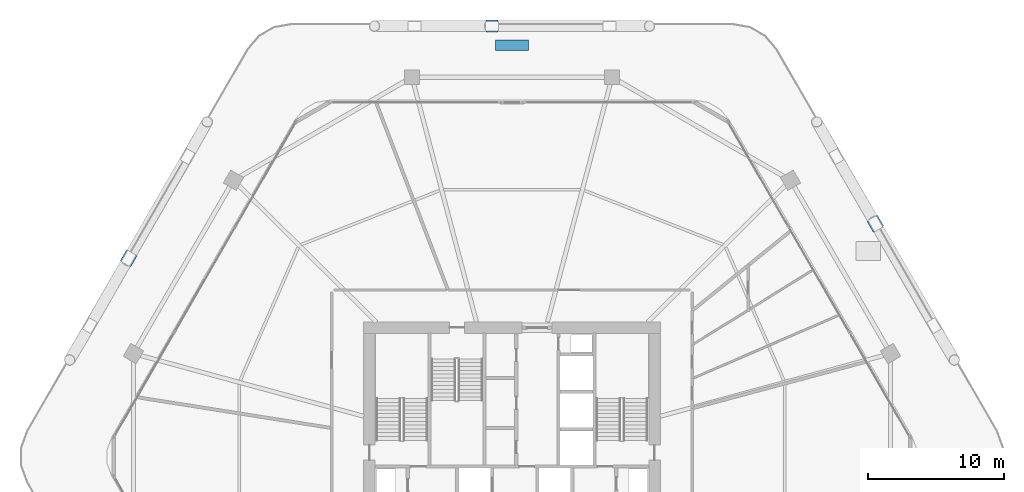
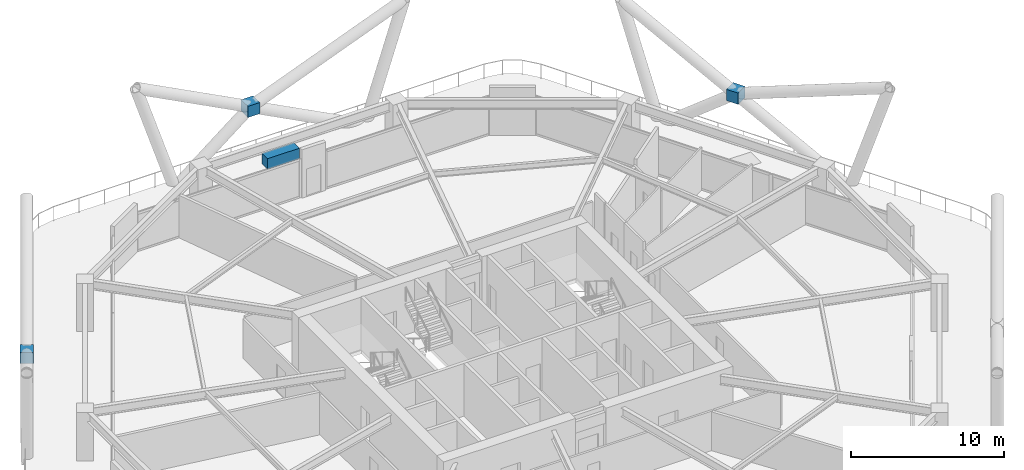
# One storey, part 26 of 28: 4 discrete accessories.
"""IFC4 building model written with IfcOpenShell, lengths in metres."""

from ifc_helpers import new_model, si_unit, direction, frame, origin, origin_2d, place, context, subcontext, project, spatial, rectangle, extrude, material, type_object, element, save


model = new_model("IFC4")

# Units and contexts
model_context = context("Model", 3, precision=1e-05, world=origin(), true_north=direction((0.0, 1.0)))
body_context = subcontext(model_context, "Body", "Model", "MODEL_VIEW")
ifc_project = project(units=[si_unit("LENGTHUNIT", "METRE"), si_unit("AREAUNIT", "SQUARE_METRE"), si_unit("VOLUMEUNIT", "CUBIC_METRE"), si_unit("PLANEANGLEUNIT", "RADIAN"), si_unit("MASSUNIT", "GRAM", prefix="KILO")], contexts=[model_context])

# Site, building, storey
site_placement = place(None, origin())
site = spatial("IfcSite", under=ifc_project, at=site_placement, CompositionType="ELEMENT")
building_placement = place(site_placement, origin())
building = spatial("IfcBuilding", under=site, at=building_placement, Name="Zuhravey Tower", CompositionType="ELEMENT")
storey_placement = place(building_placement, frame((0.0, 0.0, 83.39990234375)))
storey = spatial("IfcBuildingStorey", under=building, at=storey_placement, Name="L20", CompositionType="ELEMENT", Elevation=83.39990234375)

# Discrete accessories
ifc_material_1 = material(Name="Steel SM355", Category="steel")
discrete_accessory_type_1 = type_object("IfcDiscreteAccessoryType", Name="Exoskeleton Support Bracket", PredefinedType="BRACKET", material=ifc_material_1)
for number, where, z_axis, x_axis, name in (
    (1, (62.772216796875, 49.156005859375, 3.574462890625), (0.0, 0.0, 1.0), (-0.5, 0.866025403784, 0.0), "L20 Face 1 Diagrid X-Crossing Collar BRK1"),
    (2, (34.528564453125, 63.718505859375, 3.574462890625), (0.0, 0.0, 1.0), (-1.0, 0.0, 0.0), "L20 Face 2 Diagrid X-Crossing Collar BRK1"),
    (3, (7.75634765625, 46.607421875, 3.574462890625), (0.0, 0.0, 1.0), (-0.5, -0.866025403784, 0.0), "L20 Face 3 Diagrid X-Crossing Collar BRK1"),
):
    element("IfcDiscreteAccessory", number, at=place(storey_placement, frame(where, z_axis=z_axis, x_axis=x_axis)), inside=storey, type_object=discrete_accessory_type_1, Name=name, PredefinedType="BRACKET", context=body_context, shape_type="SweptSolid", body=[
        extrude(rectangle(XDim=0.89306640625, YDim=0.89306640625, at=origin_2d()), origin(), (0.0, 0.0, 1.0), 0.89306640625),
    ])
ifc_material_2 = material(Name="Architectural GRC planter with planting soil")
discrete_accessory_type_2 = type_object("IfcDiscreteAccessoryType", Name="Sky-Garden Structural Planter", PredefinedType="USERDEFINED", material=ifc_material_2)
discrete_accessory_placement = place(storey_placement, frame((36.0, 62.310791015625, 0.0), z_axis=(0.0, 0.0, 1.0), x_axis=(-1.0, 0.0, 0.0)))
element("IfcDiscreteAccessory", 4, at=discrete_accessory_placement, inside=storey, type_object=discrete_accessory_type_2, Name="L20 Sky-Garden Planter PLN1-1", ObjectType="PLANTER", PredefinedType="USERDEFINED", context=body_context, shape_type="SweptSolid", body=[
    extrude(rectangle(XDim=2.39990234375, YDim=0.75, at=origin_2d()), origin(), (0.0, 0.0, 1.0), 0.85009765625),
])

save(model, "model.ifc")
